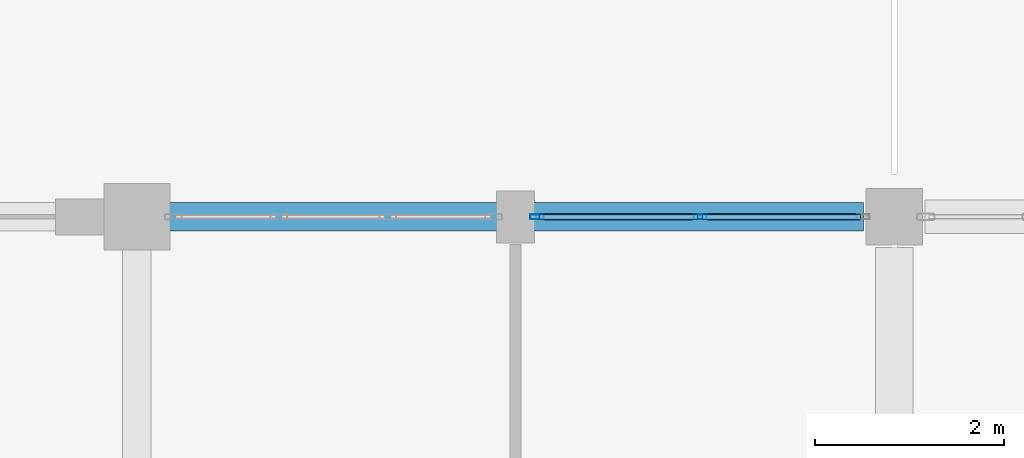
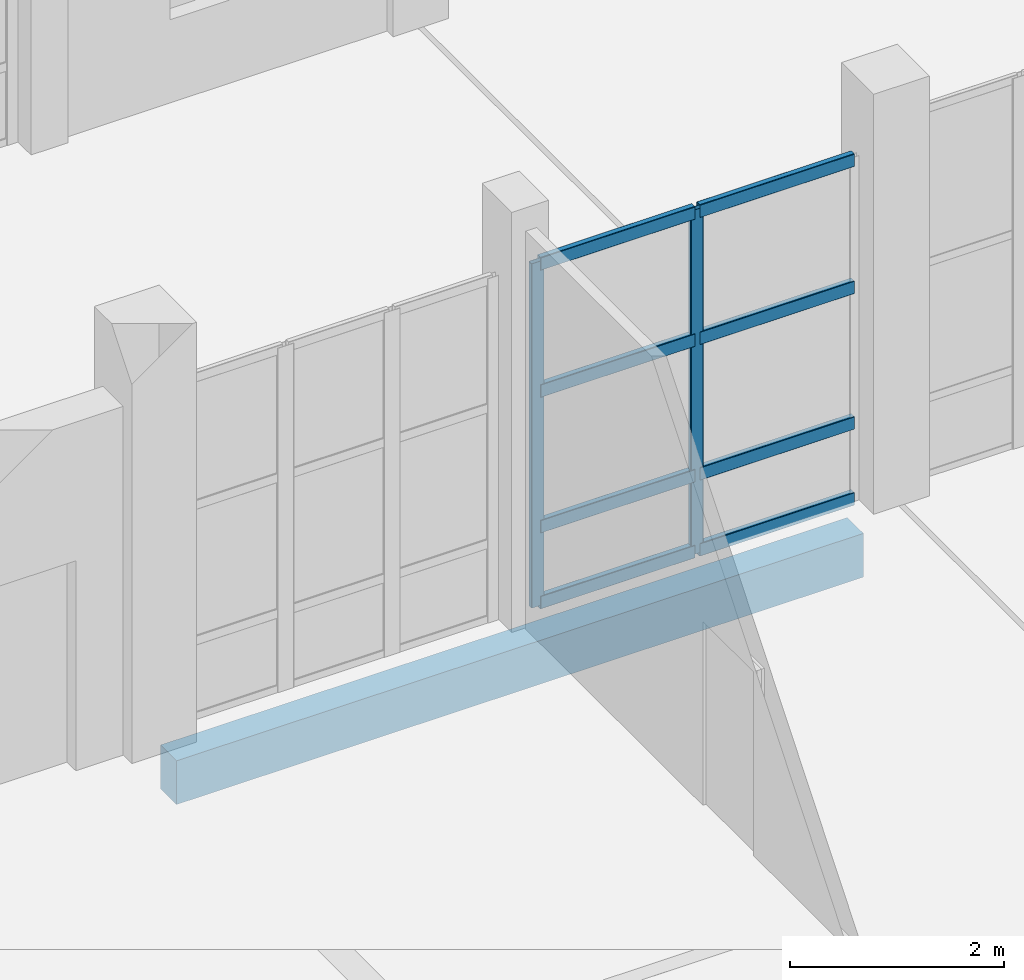
# One storey, part 24 of 156: 10 members, 1 beam, 1 element without a shape of its own.
"""IFC4 building model written with IfcOpenShell, lengths in metres."""

from ifc_helpers import new_model, si_unit, direction, frame, origin, origin_2d, place, context, subcontext, project, spatial, rectangle, hollow_rectangle, extrude, material, material_profile, profile_set, type_object, element, aggregate, save


model = new_model("IFC4")

# Units and contexts
model_context = context("Model", 3, precision=1e-05, world=origin(), true_north=direction((0.0, 1.0)))
body_context = subcontext(model_context, "Body", "Model", "MODEL_VIEW")
ifc_project = project(units=[si_unit("LENGTHUNIT", "METRE"), si_unit("AREAUNIT", "SQUARE_METRE"), si_unit("VOLUMEUNIT", "CUBIC_METRE"), si_unit("PLANEANGLEUNIT", "RADIAN"), si_unit("MASSUNIT", "GRAM", prefix="KILO")], contexts=[model_context])

# Site, building, storey
site_placement = place(None, origin())
site = spatial("IfcSite", under=ifc_project, at=site_placement, CompositionType="ELEMENT")
building_placement = place(site_placement, origin())
building = spatial("IfcBuilding", under=site, at=building_placement, Name="Luwemba Playhouse", CompositionType="ELEMENT")
storey_placement = place(building_placement, origin())
storey = spatial("IfcBuildingStorey", under=building, at=storey_placement, Name="L00", CompositionType="ELEMENT", Elevation=0.0)

# Beam
ifc_material_1 = material(Name="Concrete C40/50", Category="concrete")
ifc_material_profile_1 = material_profile(ifc_material_1, rectangle(XDim=0.300048828125, YDim=0.5, at=origin_2d()))
ifc_profile_set_1 = profile_set([ifc_material_profile_1], Name="Concrete C40/50")
beam_type = type_object("IfcBeamType", Name="BM-SP1", PredefinedType="SPANDREL", material=ifc_profile_set_1)
beam_placement = place(storey_placement, frame((44.25, 27.0, -0.550048828125), z_axis=(1.0, 0.0, 0.0), x_axis=(0.0, 1.0, 0.0)))
element("IfcBeam", 1, at=beam_placement, inside=storey, type_object=beam_type, Name="L00 grid girder 0176", PredefinedType="SPANDREL", context=body_context, shape_type="SweptSolid", body=[
    extrude(rectangle(XDim=0.300048828125, YDim=0.5, at=origin_2d()), origin(), (0.0, 0.0, 1.0), 7.425048828125),
])

# Curtain wall, members
ifc_material_2 = material(Name="Solar-control double glazing", Category="glass")
curtain_wall_type = type_object("IfcCurtainWallType", Name="CW-CW34", PredefinedType="USERDEFINED", material=ifc_material_2)
curtain_wall_placement = place(storey_placement, origin())
curtain_wall = element("IfcCurtainWall", 2, at=curtain_wall_placement, inside=storey, type_object=curtain_wall_type, Name="L00 V5W unitised curtain wall 037", ObjectType="UNITISED GLAZING", PredefinedType="USERDEFINED")
ifc_material_3 = material(Name="Aluminium 6063-T6", Category="aluminium")
ifc_material_profile_2 = material_profile(ifc_material_3, hollow_rectangle(XDim=0.054931640625, YDim=0.139892578125, WallThickness=0.00390625, InnerFilletRadius=0.006103515625, OuterFilletRadius=0.010009765625, at=origin_2d()))
ifc_profile_set_2 = profile_set([ifc_material_profile_2], Name="Aluminium 6063-T6")
member_type_1 = type_object("IfcMemberType", Name="CWM-M3", PredefinedType="MULLION", material=ifc_profile_set_2)
member_1_placement = place(storey_placement, frame((48.2275390625, 27.0, 0.0), z_axis=(0.0, 0.0, 1.0), x_axis=(0.0, 1.0, 0.0)))
member_1 = element("IfcMember", 3, at=member_1_placement, type_object=member_type_1, Name="CW34 mullion 1", PredefinedType="MULLION", context=body_context, shape_type="SweptSolid", body=[
    extrude(hollow_rectangle(XDim=0.054931640625, YDim=0.139892578125, WallThickness=0.00390625, InnerFilletRadius=0.006103515625, OuterFilletRadius=0.010009765625, at=origin_2d()), origin(), (0.0, 0.0, 1.0), 3.93505859375),
])
member_2_placement = place(storey_placement, frame((49.949951171875, 27.0, 0.0), z_axis=(0.0, 0.0, 1.0), x_axis=(0.0, 1.0, 0.0)))
member_2 = element("IfcMember", 4, at=member_2_placement, type_object=member_type_1, Name="CW34 mullion 2", PredefinedType="MULLION", context=body_context, shape_type="SweptSolid", body=[
    extrude(hollow_rectangle(XDim=0.054931640625, YDim=0.139892578125, WallThickness=0.00390625, InnerFilletRadius=0.006103515625, OuterFilletRadius=0.010009765625, at=origin_2d()), origin(), (0.0, 0.0, 1.0), 3.93505859375),
])
ifc_material_profile_3 = material_profile(ifc_material_3, hollow_rectangle(XDim=0.06494140625, YDim=0.14990234375, WallThickness=0.00390625, InnerFilletRadius=0.006103515625, OuterFilletRadius=0.010009765625, at=origin_2d()))
ifc_profile_set_3 = profile_set([ifc_material_profile_3], Name="Aluminium 6063-T6")
member_type_2 = type_object("IfcMemberType", Name="CWT-T3", PredefinedType="USERDEFINED", material=ifc_profile_set_3)
member_3_placement = place(storey_placement, frame((48.2548828125, 27.0, 0.032470703125), z_axis=(1.0, 0.0, 0.0), x_axis=(0.0, 1.0, 0.0)))
member_3 = element("IfcMember", 5, at=member_3_placement, type_object=member_type_2, Name="CW34 transom 1.1", ObjectType="TRANSOM", PredefinedType="USERDEFINED", context=body_context, shape_type="SweptSolid", body=[
    extrude(hollow_rectangle(XDim=0.06494140625, YDim=0.14990234375, WallThickness=0.00390625, InnerFilletRadius=0.006103515625, OuterFilletRadius=0.010009765625, at=origin_2d()), origin(), (0.0, 0.0, 1.0), 1.667724609375),
])
member_4_placement = place(storey_placement, frame((48.2548828125, 27.0, 0.89990234375), z_axis=(1.0, 0.0, 0.0), x_axis=(0.0, 1.0, 0.0)))
member_4 = element("IfcMember", 6, at=member_4_placement, type_object=member_type_2, Name="CW34 transom 1.2", ObjectType="TRANSOM", PredefinedType="USERDEFINED", context=body_context, shape_type="SweptSolid", body=[
    extrude(hollow_rectangle(XDim=0.06494140625, YDim=0.14990234375, WallThickness=0.00390625, InnerFilletRadius=0.006103515625, OuterFilletRadius=0.010009765625, at=origin_2d()), origin(), (0.0, 0.0, 1.0), 1.667724609375),
])
member_5_placement = place(storey_placement, frame((48.2548828125, 27.0, 2.449951171875), z_axis=(1.0, 0.0, 0.0), x_axis=(0.0, 1.0, 0.0)))
member_5 = element("IfcMember", 7, at=member_5_placement, type_object=member_type_2, Name="CW34 transom 1.3", ObjectType="TRANSOM", PredefinedType="USERDEFINED", context=body_context, shape_type="SweptSolid", body=[
    extrude(hollow_rectangle(XDim=0.06494140625, YDim=0.14990234375, WallThickness=0.00390625, InnerFilletRadius=0.006103515625, OuterFilletRadius=0.010009765625, at=origin_2d()), origin(), (0.0, 0.0, 1.0), 1.667724609375),
])
member_6_placement = place(storey_placement, frame((48.2548828125, 27.0, 3.902587890625), z_axis=(1.0, 0.0, 0.0), x_axis=(0.0, 1.0, 0.0)))
member_6 = element("IfcMember", 8, at=member_6_placement, type_object=member_type_2, Name="CW34 transom 1.4", ObjectType="TRANSOM", PredefinedType="USERDEFINED", context=body_context, shape_type="SweptSolid", body=[
    extrude(hollow_rectangle(XDim=0.06494140625, YDim=0.14990234375, WallThickness=0.00390625, InnerFilletRadius=0.006103515625, OuterFilletRadius=0.010009765625, at=origin_2d()), origin(), (0.0, 0.0, 1.0), 1.667724609375),
])
member_7_placement = place(storey_placement, frame((49.9775390625, 27.0, 0.032470703125), z_axis=(1.0, 0.0, 0.0), x_axis=(0.0, 1.0, 0.0)))
member_7 = element("IfcMember", 9, at=member_7_placement, type_object=member_type_2, Name="CW34 transom 2.1", ObjectType="TRANSOM", PredefinedType="USERDEFINED", context=body_context, shape_type="SweptSolid", body=[
    extrude(hollow_rectangle(XDim=0.06494140625, YDim=0.14990234375, WallThickness=0.00390625, InnerFilletRadius=0.006103515625, OuterFilletRadius=0.010009765625, at=origin_2d()), origin(), (0.0, 0.0, 1.0), 1.66748046875),
])
member_8_placement = place(storey_placement, frame((49.9775390625, 27.0, 0.89990234375), z_axis=(1.0, 0.0, 0.0), x_axis=(0.0, 1.0, 0.0)))
member_8 = element("IfcMember", 10, at=member_8_placement, type_object=member_type_2, Name="CW34 transom 2.2", ObjectType="TRANSOM", PredefinedType="USERDEFINED", context=body_context, shape_type="SweptSolid", body=[
    extrude(hollow_rectangle(XDim=0.06494140625, YDim=0.14990234375, WallThickness=0.00390625, InnerFilletRadius=0.006103515625, OuterFilletRadius=0.010009765625, at=origin_2d()), origin(), (0.0, 0.0, 1.0), 1.66748046875),
])
member_9_placement = place(storey_placement, frame((49.9775390625, 27.0, 2.449951171875), z_axis=(1.0, 0.0, 0.0), x_axis=(0.0, 1.0, 0.0)))
member_9 = element("IfcMember", 11, at=member_9_placement, type_object=member_type_2, Name="CW34 transom 2.3", ObjectType="TRANSOM", PredefinedType="USERDEFINED", context=body_context, shape_type="SweptSolid", body=[
    extrude(hollow_rectangle(XDim=0.06494140625, YDim=0.14990234375, WallThickness=0.00390625, InnerFilletRadius=0.006103515625, OuterFilletRadius=0.010009765625, at=origin_2d()), origin(), (0.0, 0.0, 1.0), 1.66748046875),
])
member_10_placement = place(storey_placement, frame((49.9775390625, 27.0, 3.902587890625), z_axis=(1.0, 0.0, 0.0), x_axis=(0.0, 1.0, 0.0)))
member_10 = element("IfcMember", 12, at=member_10_placement, type_object=member_type_2, Name="CW34 transom 2.4", ObjectType="TRANSOM", PredefinedType="USERDEFINED", context=body_context, shape_type="SweptSolid", body=[
    extrude(hollow_rectangle(XDim=0.06494140625, YDim=0.14990234375, WallThickness=0.00390625, InnerFilletRadius=0.006103515625, OuterFilletRadius=0.010009765625, at=origin_2d()), origin(), (0.0, 0.0, 1.0), 1.66748046875),
])
aggregate(curtain_wall, [member_1, member_2, member_3, member_4, member_5, member_6, member_7, member_8, member_9, member_10])

save(model, "model.ifc")
